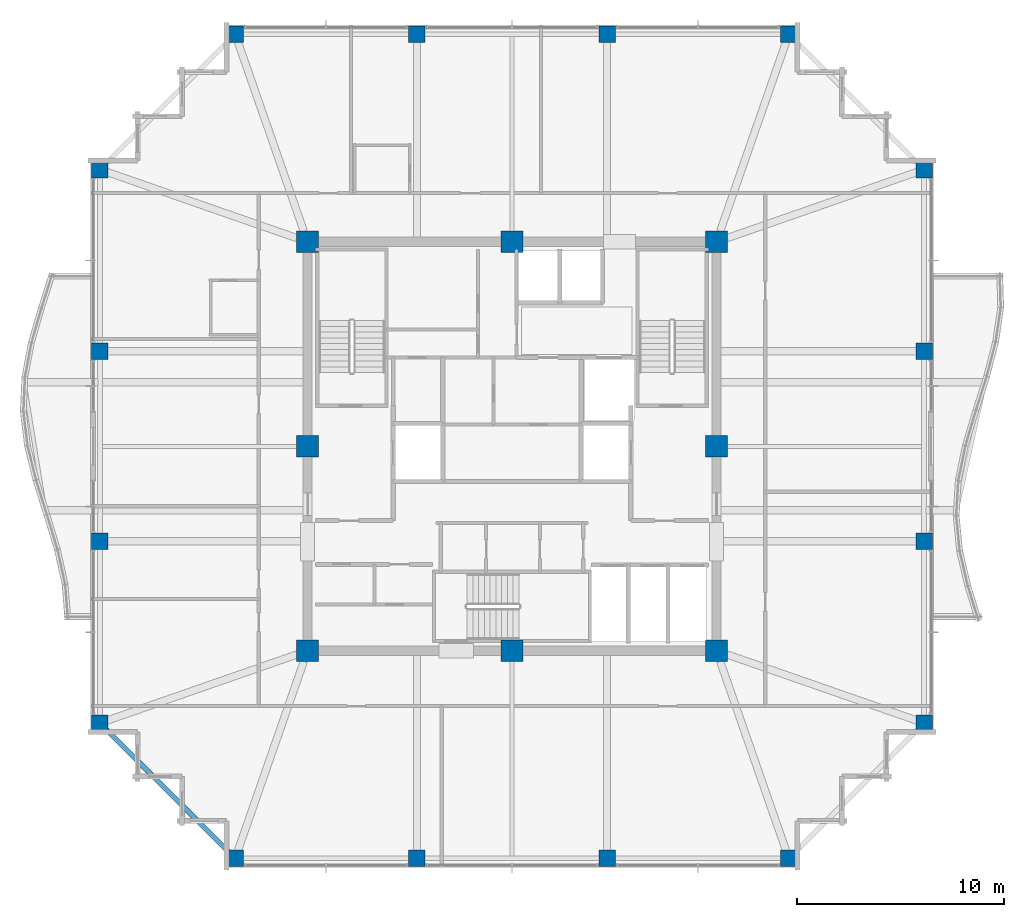
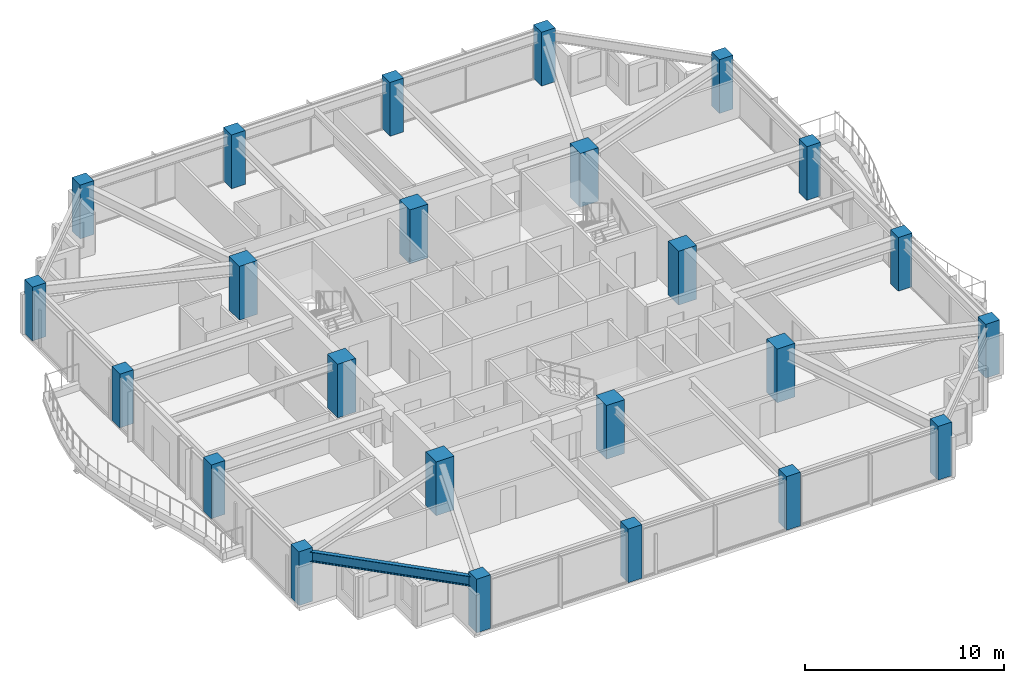
# One storey, part 1 of 34: 24 columns, 1 beam.
"""IFC4 building model written with IfcOpenShell, lengths in metres."""

from ifc_helpers import new_model, si_unit, direction, frame, origin, origin_2d, place, context, subcontext, project, spatial, rectangle, i_section, extrude, material, material_profile, profile_set, type_object, element, save


model = new_model("IFC4")

# Units and contexts
model_context = context("Model", 3, precision=1e-05, world=origin(), true_north=direction((0.0, 1.0)))
body_context = subcontext(model_context, "Body", "Model", "MODEL_VIEW")
ifc_project = project(units=[si_unit("LENGTHUNIT", "METRE"), si_unit("AREAUNIT", "SQUARE_METRE"), si_unit("VOLUMEUNIT", "CUBIC_METRE"), si_unit("PLANEANGLEUNIT", "RADIAN"), si_unit("MASSUNIT", "GRAM", prefix="KILO")], contexts=[model_context])

# Site, building, storey
site_placement = place(None, origin())
site = spatial("IfcSite", under=ifc_project, at=site_placement, CompositionType="ELEMENT")
building_placement = place(site_placement, origin())
building = spatial("IfcBuilding", under=site, at=building_placement, Name="Kolvaren Belvedere", CompositionType="ELEMENT")
storey_placement = place(building_placement, frame((0.0, 0.0, 222.89990234375)))
storey = spatial("IfcBuildingStorey", under=building, at=storey_placement, Name="L65", CompositionType="ELEMENT", Elevation=222.89990234375)

# Columns
ifc_material_1 = material(Name="Concrete C50/60", Category="concrete")
ifc_material_profile_1 = material_profile(ifc_material_1, rectangle(XDim=1.050048828125, YDim=1.050048828125, at=origin_2d()), Name="RC 1050X1050")
ifc_profile_set_1 = profile_set([ifc_material_profile_1], Name="Concrete C50/60")
column_type_1 = type_object("IfcColumnType", Name="COL-RC-1050", PredefinedType="COLUMN", material=ifc_profile_set_1)
for number, where, z_axis, x_axis, name in (
    (1, (-9.89990234375, -9.89990234375, 0.0), (0.0, 0.0, 1.0), (1.0, 0.0, 0.0), "L65 Core Column CC1"),
    (2, (9.89990234375, -9.89990234375, 0.0), (0.0, 0.0, 1.0), (1.0, 0.0, 0.0), "L65 Core Column CC2"),
    (3, (9.89990234375, 9.89990234375, 0.0), (0.0, 0.0, 1.0), (1.0, 0.0, 0.0), "L65 Core Column CC3"),
    (4, (-9.89990234375, 9.89990234375, 0.0), (0.0, 0.0, 1.0), (1.0, 0.0, 0.0), "L65 Core Column CC4"),
    (5, (0.0, -9.89990234375, 0.0), (0.0, 0.0, 1.0), (1.0, 0.0, 0.0), "L65 Core Column CM1"),
    (6, (9.89990234375, 0.0, 0.0), (0.0, 0.0, 1.0), (1.0, 0.0, 0.0), "L65 Core Column CM2"),
    (7, (0.0, 9.89990234375, 0.0), (0.0, 0.0, 1.0), (1.0, 0.0, 0.0), "L65 Core Column CM3"),
    (8, (-9.89990234375, 0.0, 0.0), (0.0, 0.0, 1.0), (1.0, 0.0, 0.0), "L65 Core Column CM4"),
):
    element("IfcColumn", number, at=place(storey_placement, frame(where, z_axis=z_axis, x_axis=x_axis)), inside=storey, type_object=column_type_1, Name=name, PredefinedType="COLUMN", context=body_context, shape_type="SweptSolid", body=[
        extrude(rectangle(XDim=1.050048828125, YDim=1.050048828125, at=origin_2d()), origin(), (0.0, 0.0, 1.0), 3.300048828125),
    ])
ifc_material_2 = material(Name="Concrete C50/60", Category="concrete")
ifc_material_profile_2 = material_profile(ifc_material_2, rectangle(XDim=0.800048828125, YDim=0.800048828125, at=origin_2d()), Name="RC 800X800")
ifc_profile_set_2 = profile_set([ifc_material_profile_2], Name="Concrete C50/60")
column_type_2 = type_object("IfcColumnType", Name="COL-RC-800", PredefinedType="COLUMN", material=ifc_profile_set_2)
for number, where, z_axis, x_axis, name in (
    (9, (-13.39990234375, -19.949951171875, 0.0), (0.0, 0.0, 1.0), (1.0, 0.0, 0.0), "L65 Perimeter Column S1"),
    (10, (-4.60009765625, -19.949951171875, 0.0), (0.0, 0.0, 1.0), (1.0, 0.0, 0.0), "L65 Perimeter Column S2"),
    (11, (4.60009765625, -19.949951171875, 0.0), (0.0, 0.0, 1.0), (1.0, 0.0, 0.0), "L65 Perimeter Column S3"),
    (12, (13.39990234375, -19.949951171875, 0.0), (0.0, 0.0, 1.0), (1.0, 0.0, 0.0), "L65 Perimeter Column S4"),
    (13, (-13.39990234375, 19.949951171875, 0.0), (0.0, 0.0, 1.0), (1.0, 0.0, 0.0), "L65 Perimeter Column N1"),
    (14, (-4.60009765625, 19.949951171875, 0.0), (0.0, 0.0, 1.0), (1.0, 0.0, 0.0), "L65 Perimeter Column N2"),
    (15, (4.60009765625, 19.949951171875, 0.0), (0.0, 0.0, 1.0), (1.0, 0.0, 0.0), "L65 Perimeter Column N3"),
    (16, (13.39990234375, 19.949951171875, 0.0), (0.0, 0.0, 1.0), (1.0, 0.0, 0.0), "L65 Perimeter Column N4"),
    (17, (-19.949951171875, -13.39990234375, 0.0), (0.0, 0.0, 1.0), (1.0, 0.0, 0.0), "L65 Perimeter Column W1"),
    (18, (-19.949951171875, -4.60009765625, 0.0), (0.0, 0.0, 1.0), (1.0, 0.0, 0.0), "L65 Perimeter Column W2"),
    (19, (-19.949951171875, 4.60009765625, 0.0), (0.0, 0.0, 1.0), (1.0, 0.0, 0.0), "L65 Perimeter Column W3"),
    (20, (-19.949951171875, 13.39990234375, 0.0), (0.0, 0.0, 1.0), (1.0, 0.0, 0.0), "L65 Perimeter Column W4"),
    (21, (19.949951171875, -13.39990234375, 0.0), (0.0, 0.0, 1.0), (1.0, 0.0, 0.0), "L65 Perimeter Column E1"),
    (22, (19.949951171875, -4.60009765625, 0.0), (0.0, 0.0, 1.0), (1.0, 0.0, 0.0), "L65 Perimeter Column E2"),
    (23, (19.949951171875, 4.60009765625, 0.0), (0.0, 0.0, 1.0), (1.0, 0.0, 0.0), "L65 Perimeter Column E3"),
    (24, (19.949951171875, 13.39990234375, 0.0), (0.0, 0.0, 1.0), (1.0, 0.0, 0.0), "L65 Perimeter Column E4"),
):
    element("IfcColumn", number, at=place(storey_placement, frame(where, z_axis=z_axis, x_axis=x_axis)), inside=storey, type_object=column_type_2, Name=name, PredefinedType="COLUMN", context=body_context, shape_type="SweptSolid", body=[
        extrude(rectangle(XDim=0.800048828125, YDim=0.800048828125, at=origin_2d()), origin(), (0.0, 0.0, 1.0), 3.300048828125),
    ])

# Beam
ifc_material_3 = material(Name="Structural steel ASTM A992 Grade 50", Category="steel")
ifc_material_profile_3 = material_profile(ifc_material_3, i_section(OverallWidth=0.22900390625, OverallDepth=0.612060546875, WebThickness=0.011962890625, FlangeThickness=0.01953125, FilletRadius=0.01806640625, at=origin_2d()), Name="W24X84")
ifc_profile_set_3 = profile_set([ifc_material_profile_3], Name="Structural steel ASTM A992 Grade 50")
beam_type = type_object("IfcBeamType", Name="BM-SPAN-W24X84", PredefinedType="SPANDREL", material=ifc_profile_set_3)
beam_placement = place(storey_placement, frame((-19.82275390625, -13.52734375, 2.774169921875), z_axis=(0.707106781187, -0.707106781187, 0.0), x_axis=(0.707106781187, 0.707106781187, 0.0)))
element("IfcBeam", 25, at=beam_placement, inside=storey, type_object=beam_type, Name="L65 Perimeter Spandrel W1-S1", PredefinedType="SPANDREL", context=body_context, shape_type="SweptSolid", body=[
    extrude(i_section(OverallWidth=0.22900390625, OverallDepth=0.612060546875, WebThickness=0.011962890625, FlangeThickness=0.01953125, FilletRadius=0.01806640625, at=origin_2d()), origin(), (0.0, 0.0, 1.0), 8.903076171875),
])

save(model, "model.ifc")
